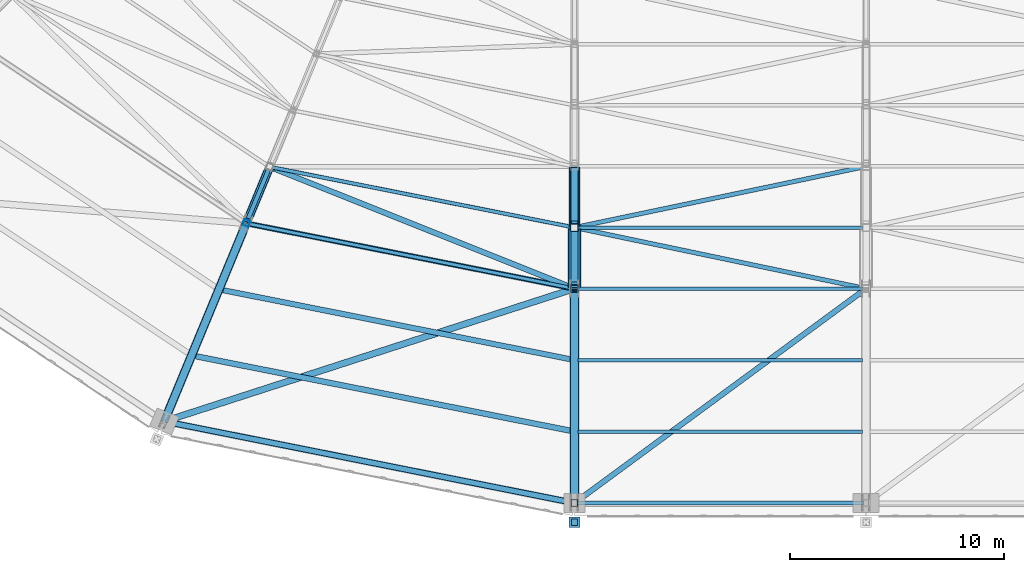
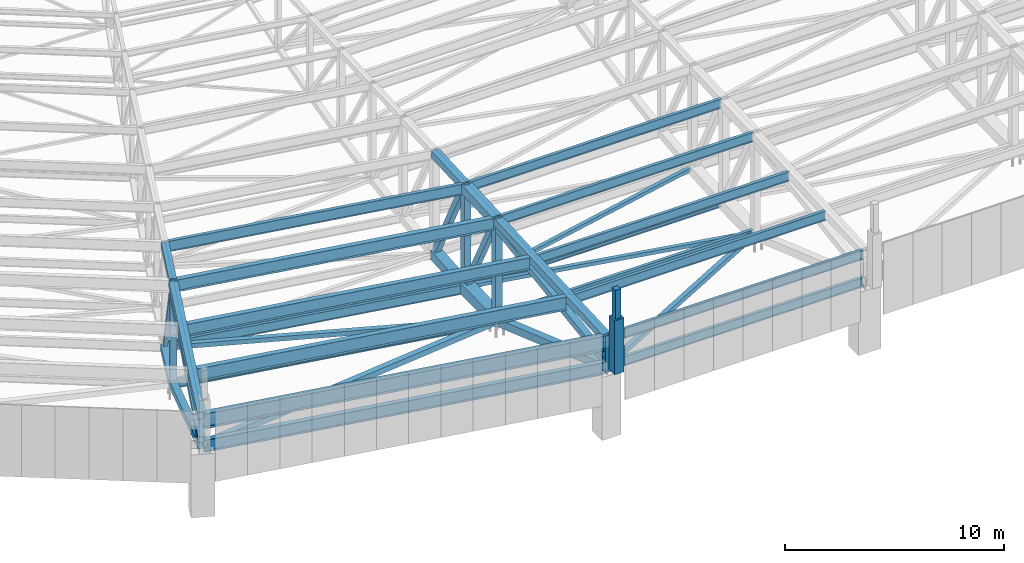
# One storey, part 5 of 278: 28 members, 14 beams.
"""IFC4 building model written with IfcOpenShell, lengths in metres."""

from ifc_helpers import new_model, si_unit, direction, frame, origin, origin_2d, place, context, subcontext, project, spatial, rectangle, hollow_rectangle, i_section, extrude, material, material_profile, profile_set, type_object, element, save


model = new_model("IFC4")

# Units and contexts
model_context = context("Model", 3, precision=1e-05, world=origin(), true_north=direction((0.0, 1.0)))
body_context = subcontext(model_context, "Body", "Model", "MODEL_VIEW")
ifc_project = project(units=[si_unit("LENGTHUNIT", "METRE"), si_unit("AREAUNIT", "SQUARE_METRE"), si_unit("VOLUMEUNIT", "CUBIC_METRE"), si_unit("PLANEANGLEUNIT", "RADIAN"), si_unit("MASSUNIT", "GRAM", prefix="KILO")], contexts=[model_context])

# Site, building, storey
site_placement = place(None, origin())
site = spatial("IfcSite", under=ifc_project, at=site_placement, CompositionType="ELEMENT")
building_placement = place(site_placement, origin())
building = spatial("IfcBuilding", under=site, at=building_placement, Name="Ogive Plaza Stadium", CompositionType="ELEMENT")
storey_placement = place(building_placement, frame((0.0, 0.0, 29.0)))
storey = spatial("IfcBuildingStorey", under=building, at=storey_placement, Name="Roof", CompositionType="ELEMENT", Elevation=29.0)

# Members
ifc_material_1 = material(Name="Concrete C45/55 precast", Category="concrete")
ifc_material_profile_1 = material_profile(ifc_material_1, rectangle(XDim=0.5, YDim=0.5, at=origin_2d()), Name="RC 500x500")
ifc_profile_set_1 = profile_set([ifc_material_profile_1], Name="Concrete C45/55 precast")
member_type_1 = type_object("IfcMemberType", Name="Precast pinnacle 500x500", PredefinedType="POST", material=ifc_profile_set_1)
member_1_placement = place(storey_placement, frame((-34.0, -103.39990234375, 4.0), z_axis=(0.0, 0.0, 1.0), x_axis=(1.0, 0.0, 0.0)))
element("IfcMember", 1, at=member_1_placement, inside=storey, type_object=member_type_1, Name="PINNACLE R17", PredefinedType="POST", context=body_context, shape_type="SweptSolid", body=[
    extrude(rectangle(XDim=0.5, YDim=0.5, at=origin_2d()), origin(), (0.0, 0.0, 1.0), 3.0),
])
ifc_material_2 = material(Name="Concrete C45/55 precast", Category="concrete")
ifc_material_profile_2 = material_profile(ifc_material_2, rectangle(XDim=0.300048828125, YDim=0.300048828125, at=origin_2d()), Name="RC 300x300")
ifc_profile_set_2 = profile_set([ifc_material_profile_2], Name="Concrete C45/55 precast")
member_type_2 = type_object("IfcMemberType", Name="Precast spire 300x300", PredefinedType="MEMBER", material=ifc_profile_set_2)
member_2_placement = place(storey_placement, frame((-34.0, -103.39990234375, 7.0), z_axis=(0.0, 0.0, 1.0), x_axis=(1.0, 0.0, 0.0)))
element("IfcMember", 2, at=member_2_placement, inside=storey, type_object=member_type_2, Name="SPIRE R17", PredefinedType="MEMBER", context=body_context, shape_type="SweptSolid", body=[
    extrude(rectangle(XDim=0.300048828125, YDim=0.300048828125, at=origin_2d()), origin(), (0.0, 0.0, 1.0), 1.60009765625),
])
ifc_material_3 = material(Name="Steel ASTM A500 Grade C", Category="steel")
ifc_material_profile_3 = material_profile(ifc_material_3, hollow_rectangle(XDim=0.25390625, YDim=0.25390625, WallThickness=0.0087890625, at=origin_2d()), Name="HSS10X10X3/8")
ifc_profile_set_3 = profile_set([ifc_material_profile_3], Name="Steel ASTM A500 Grade C")
member_type_3 = type_object("IfcMemberType", Name="Roof plan brace HSS10X10X3/8", PredefinedType="BRACE", material=ifc_profile_set_3)
member_3_placement = place(storey_placement, frame((-20.62890625, -92.668212890625, 0.362060546875), z_axis=(-0.789806515967, -0.580738793181, 0.197352784197), x_axis=(0.592389594991, -0.805651641683, 0.0)))
element("IfcMember", 3, at=member_3_placement, inside=storey, type_object=member_type_3, Name="ROOF BRACE B16 11", PredefinedType="BRACE", context=body_context, shape_type="SweptSolid", body=[
    extrude(hollow_rectangle(XDim=0.25390625, YDim=0.25390625, WallThickness=0.0087890625, at=origin_2d()), origin(), (0.0, 0.0, 1.0), 16.672119140625),
])
member_4_placement = place(storey_placement, frame((-48.1015625, -86.8681640625, 0.266845703125), z_axis=(0.92866632558, -0.370892564775, -0.004190600068), x_axis=(0.370895821464, 0.928674479902, 0.0)))
element("IfcMember", 4, at=member_4_placement, inside=storey, type_object=member_type_3, Name="ROOF BRACE B17 10", PredefinedType="BRACE", context=body_context, shape_type="SweptSolid", body=[
    extrude(hollow_rectangle(XDim=0.25390625, YDim=0.25390625, WallThickness=0.0087890625, at=origin_2d()), origin(), (0.0, 0.0, 1.0), 14.97265625),
])
ifc_material_4 = material(Name="Steel ASTM A500 Grade C", Category="steel")
ifc_material_profile_4 = material_profile(ifc_material_4, hollow_rectangle(XDim=0.3046875, YDim=0.3046875, WallThickness=0.0087890625, at=origin_2d()), Name="HSS12X12X3/8")
ifc_profile_set_4 = profile_set([ifc_material_profile_4], Name="Steel ASTM A500 Grade C")
member_type_4 = type_object("IfcMemberType", Name="Roof plan brace HSS12X12X3/8", PredefinedType="BRACE", material=ifc_profile_set_4)
member_5_placement = place(storey_placement, frame((-34.1962890625, -92.5634765625, 0.23876953125), z_axis=(-0.937504082222, -0.303484233035, 0.170245164735), x_axis=(0.307980209031, -0.951392763713, 0.0)))
element("IfcMember", 5, at=member_5_placement, inside=storey, type_object=member_type_4, Name="ROOF BRACE B17 11", PredefinedType="BRACE", context=body_context, shape_type="SweptSolid", body=[
    extrude(hollow_rectangle(XDim=0.3046875, YDim=0.3046875, WallThickness=0.0087890625, at=origin_2d()), origin(), (0.0, 0.0, 1.0), 19.96337890625),
])
ifc_material_5 = material(Name="Steel ASTM A500 Grade C", Category="steel")
ifc_material_profile_5 = material_profile(ifc_material_5, hollow_rectangle(XDim=0.203125, YDim=0.203125, WallThickness=0.0087890625, at=origin_2d()), Name="HSS8X8X3/8")
ifc_profile_set_5 = profile_set([ifc_material_profile_5], Name="Steel ASTM A500 Grade C")
member_type_5 = type_object("IfcMemberType", Name="Roof plan brace HSS8X8X3/8", PredefinedType="BRACE", material=ifc_profile_set_5)
member_6_placement = place(storey_placement, frame((-20.5693359375, -86.83544921875, 0.50927734375), z_axis=(-0.9786892756, -0.205092509512, -0.010215887981), x_axis=(0.205103212524, -0.978740349742, 0.0)))
element("IfcMember", 6, at=member_6_placement, inside=storey, type_object=member_type_5, Name="ROOF BRACE B16 9", PredefinedType="BRACE", context=body_context, shape_type="SweptSolid", body=[
    extrude(hollow_rectangle(XDim=0.203125, YDim=0.203125, WallThickness=0.0087890625, at=origin_2d()), origin(), (0.0, 0.0, 1.0), 13.55029296875),
])
member_7_placement = place(storey_placement, frame((-33.830810546875, -89.685546875, 0.3681640625), z_axis=(0.978729937555, -0.205101030564, -0.004612656051), x_axis=(0.205103212524, 0.978740349742, 0.0)))
element("IfcMember", 7, at=member_7_placement, inside=storey, type_object=member_type_5, Name="ROOF BRACE B16 10", PredefinedType="BRACE", context=body_context, shape_type="SweptSolid", body=[
    extrude(hollow_rectangle(XDim=0.203125, YDim=0.203125, WallThickness=0.0087890625, at=origin_2d()), origin(), (0.0, 0.0, 1.0), 13.549560546875),
])
ifc_material_6 = material(Name="Steel ASTM A992 Grade 50", Category="steel")
ifc_material_profile_6 = material_profile(ifc_material_6, i_section(OverallWidth=0.1650390625, OverallDepth=0.524658203125, WebThickness=0.0087890625, FlangeThickness=0.011474609375, at=origin_2d()), Name="W21X44")
ifc_profile_set_6 = profile_set([ifc_material_profile_6], Name="Steel ASTM A992 Grade 50")
member_type_6 = type_object("IfcMemberType", Name="Roof plan strut W21X44", PredefinedType="STRUT", material=ifc_profile_set_6)
for number, where, z_axis, x_axis, name in (
    (8, (-20.5478515625, -89.64990234375, 0.369140625), (-1.0, 0.0, 0.0), (0.0, -1.0, 0.0), "ROOF STRUT B16 9"),
    (9, (-20.5478515625, -92.5, 0.3046875), (-1.0, 0.0, 0.0), (0.0, -1.0, 0.0), "ROOF STRUT B16 10"),
):
    element("IfcMember", number, at=place(storey_placement, frame(where, z_axis=z_axis, x_axis=x_axis)), inside=storey, type_object=member_type_6, Name=name, PredefinedType="STRUT", context=body_context, shape_type="SweptSolid", body=[
        extrude(i_section(OverallWidth=0.1650390625, OverallDepth=0.524658203125, WebThickness=0.0087890625, FlangeThickness=0.011474609375, at=origin_2d()), origin(), (0.0, 0.0, 1.0), 13.304443359375),
    ])
member_8_placement = place(storey_placement, frame((-20.5224609375, -102.5, 3.703125), z_axis=(-1.0, 0.0, 0.0), x_axis=(0.0, -1.0, 0.0)))
element("IfcMember", 10, at=member_8_placement, inside=storey, type_object=member_type_6, Name="ROOF STRUT B16 11", PredefinedType="STRUT", context=body_context, shape_type="SweptSolid", body=[
    extrude(i_section(OverallWidth=0.1650390625, OverallDepth=0.524658203125, WebThickness=0.0087890625, FlangeThickness=0.011474609375, at=origin_2d()), origin(), (0.0, 0.0, 1.0), 13.355224609375),
])
member_9_placement = place(storey_placement, frame((-34.16455078125, -89.6171875, 0.267333984375), z_axis=(-0.980787315442, 0.195080090906, 0.0), x_axis=(-0.195080090906, -0.980787315442, 0.0)))
element("IfcMember", 11, at=member_9_placement, inside=storey, type_object=member_type_6, Name="ROOF STRUT B17 9", PredefinedType="STRUT", context=body_context, shape_type="SweptSolid", body=[
    extrude(i_section(OverallWidth=0.1650390625, OverallDepth=0.524658203125, WebThickness=0.0087890625, FlangeThickness=0.011474609375, at=origin_2d()), origin(), (0.0, 0.0, 1.0), 14.185546875),
])
member_10_placement = place(storey_placement, frame((-34.16455078125, -92.46728515625, 0.203125), z_axis=(-0.98078576758, 0.195087872799, 0.0), x_axis=(-0.195087872799, -0.98078576758, 0.0)))
element("IfcMember", 12, at=member_10_placement, inside=storey, type_object=member_type_6, Name="ROOF STRUT B17 10", PredefinedType="STRUT", context=body_context, shape_type="SweptSolid", body=[
    extrude(i_section(OverallWidth=0.1650390625, OverallDepth=0.524658203125, WebThickness=0.0087890625, FlangeThickness=0.011474609375, at=origin_2d()), origin(), (0.0, 0.0, 1.0), 15.297607421875),
])
ifc_material_7 = material(Name="Steel ASTM A992 Grade 50", Category="steel")
ifc_material_profile_7 = material_profile(ifc_material_7, i_section(OverallWidth=0.2529296875, OverallDepth=0.678466796875, WebThickness=0.01171875, FlangeThickness=0.016357421875, at=origin_2d()), Name="W27X84")
ifc_profile_set_7 = profile_set([ifc_material_profile_7], Name="Steel ASTM A992 Grade 50")
member_type_7 = type_object("IfcMemberType", Name="Roof plan strut W27X84", PredefinedType="STRUT", material=ifc_profile_set_7)
member_11_placement = place(storey_placement, frame((-34.147705078125, -102.470703125, 3.677734375), z_axis=(-0.980783455639, 0.195099495499, 0.0), x_axis=(-0.195099495499, -0.980783455639, 0.0)))
element("IfcMember", 13, at=member_11_placement, inside=storey, type_object=member_type_7, Name="ROOF STRUT B17 11", PredefinedType="STRUT", context=body_context, shape_type="SweptSolid", body=[
    extrude(i_section(OverallWidth=0.2529296875, OverallDepth=0.678466796875, WebThickness=0.01171875, FlangeThickness=0.016357421875, at=origin_2d()), origin(), (0.0, 0.0, 1.0), 19.259765625),
])
ifc_material_8 = material(Name="Steel ASTM A992 Grade 50", Category="steel")
ifc_material_profile_8 = material_profile(ifc_material_8, i_section(OverallWidth=0.1650390625, OverallDepth=0.524658203125, WebThickness=0.0087890625, FlangeThickness=0.011474609375, at=origin_2d()), Name="W21X44")
ifc_profile_set_8 = profile_set([ifc_material_profile_8], Name="Steel ASTM A992 Grade 50")
member_type_8 = type_object("IfcMemberType", Name="Roof purlin W21X44", PredefinedType="PURLIN", material=ifc_profile_set_8)
for number, where, z_axis, x_axis, name in (
    (14, (-20.5478515625, -89.64990234375, 5.880126953125), (-1.0, 0.0, 0.0), (0.0, -1.0, 0.0), "ROOF PURLIN B16 9"),
    (15, (-20.5478515625, -92.5, 5.737548828125), (-1.0, 0.0, 0.0), (0.0, -1.0, 0.0), "ROOF PURLIN B16 10"),
):
    element("IfcMember", number, at=place(storey_placement, frame(where, z_axis=z_axis, x_axis=x_axis)), inside=storey, type_object=member_type_8, Name=name, PredefinedType="PURLIN", context=body_context, shape_type="SweptSolid", body=[
        extrude(i_section(OverallWidth=0.1650390625, OverallDepth=0.524658203125, WebThickness=0.0087890625, FlangeThickness=0.011474609375, at=origin_2d()), origin(), (0.0, 0.0, 1.0), 13.304443359375),
    ])
for number, where, z_axis, x_axis, name in (
    (16, (-20.5732421875, -95.833251953125, 5.571044921875), (-1.0, 0.0, 0.0), (0.0, -1.0, 0.0), "ROOF PURLIN B16 11"),
    (17, (-20.5732421875, -99.166748046875, 5.404296875), (-1.0, 0.0, 0.0), (0.0, -1.0, 0.0), "ROOF PURLIN B16 12"),
):
    element("IfcMember", number, at=place(storey_placement, frame(where, z_axis=z_axis, x_axis=x_axis)), inside=storey, type_object=member_type_8, Name=name, PredefinedType="PURLIN", context=body_context, shape_type="SweptSolid", body=[
        extrude(i_section(OverallWidth=0.1650390625, OverallDepth=0.524658203125, WebThickness=0.0087890625, FlangeThickness=0.011474609375, at=origin_2d()), origin(), (0.0, 0.0, 1.0), 13.253662109375),
    ])
member_12_placement = place(storey_placement, frame((-20.5224609375, -102.5, 5.237548828125), z_axis=(-1.0, 0.0, 0.0), x_axis=(0.0, -1.0, 0.0)))
element("IfcMember", 18, at=member_12_placement, inside=storey, type_object=member_type_8, Name="ROOF PURLIN B16 13", PredefinedType="PURLIN", context=body_context, shape_type="SweptSolid", body=[
    extrude(i_section(OverallWidth=0.1650390625, OverallDepth=0.524658203125, WebThickness=0.0087890625, FlangeThickness=0.011474609375, at=origin_2d()), origin(), (0.0, 0.0, 1.0), 13.355224609375),
])
ifc_material_9 = material(Name="Steel ASTM A992 Grade 50", Category="steel")
ifc_material_profile_9 = material_profile(ifc_material_9, i_section(OverallWidth=0.177978515625, OverallDepth=0.5986328125, WebThickness=0.010009765625, FlangeThickness=0.012939453125, at=origin_2d()), Name="W24X55")
ifc_profile_set_9 = profile_set([ifc_material_profile_9], Name="Steel ASTM A992 Grade 50")
member_type_9 = type_object("IfcMemberType", Name="Roof purlin W24X55", PredefinedType="PURLIN", material=ifc_profile_set_9)
member_13_placement = place(storey_placement, frame((-34.165771484375, -89.616943359375, 5.84326171875), z_axis=(-0.98078735162, 0.195079909016, 0.0), x_axis=(-0.195079909016, -0.98078735162, 0.0)))
element("IfcMember", 19, at=member_13_placement, inside=storey, type_object=member_type_9, Name="ROOF PURLIN B17 9", PredefinedType="PURLIN", context=body_context, shape_type="SweptSolid", body=[
    extrude(i_section(OverallWidth=0.177978515625, OverallDepth=0.5986328125, WebThickness=0.010009765625, FlangeThickness=0.012939453125, at=origin_2d()), origin(), (0.0, 0.0, 1.0), 14.18310546875),
])
ifc_material_10 = material(Name="Steel ASTM A992 Grade 50", Category="steel")
ifc_material_profile_10 = material_profile(ifc_material_10, i_section(OverallWidth=0.2529296875, OverallDepth=0.678466796875, WebThickness=0.01171875, FlangeThickness=0.016357421875, at=origin_2d()), Name="W27X84")
ifc_profile_set_10 = profile_set([ifc_material_profile_10], Name="Steel ASTM A992 Grade 50")
member_type_10 = type_object("IfcMemberType", Name="Roof purlin W27X84", PredefinedType="PURLIN", material=ifc_profile_set_10)
member_14_placement = place(storey_placement, frame((-34.173095703125, -92.465576171875, 5.660888671875), z_axis=(-0.980786000888, 0.195086699859, 0.0), x_axis=(-0.195086699859, -0.980786000888, 0.0)))
element("IfcMember", 20, at=member_14_placement, inside=storey, type_object=member_type_10, Name="ROOF PURLIN B17 10", PredefinedType="PURLIN", context=body_context, shape_type="SweptSolid", body=[
    extrude(i_section(OverallWidth=0.2529296875, OverallDepth=0.678466796875, WebThickness=0.01171875, FlangeThickness=0.016357421875, at=origin_2d()), origin(), (0.0, 0.0, 1.0), 15.2802734375),
])
member_15_placement = place(storey_placement, frame((-34.198486328125, -95.7939453125, 5.494140625), z_axis=(-0.980783842794, 0.195097549229, 0.0), x_axis=(-0.195097549229, -0.980783842794, 0.0)))
element("IfcMember", 21, at=member_15_placement, inside=storey, type_object=member_type_10, Name="ROOF PURLIN B17 11", PredefinedType="PURLIN", context=body_context, shape_type="SweptSolid", body=[
    extrude(i_section(OverallWidth=0.2529296875, OverallDepth=0.678466796875, WebThickness=0.01171875, FlangeThickness=0.016357421875, at=origin_2d()), origin(), (0.0, 0.0, 1.0), 16.503173828125),
])
ifc_material_11 = material(Name="Steel ASTM A992 Grade 50", Category="steel")
ifc_material_profile_11 = material_profile(ifc_material_11, i_section(OverallWidth=0.26416015625, OverallDepth=0.75, WebThickness=0.011962890625, FlangeThickness=0.015380859375, at=origin_2d()), Name="W30X90")
ifc_profile_set_11 = profile_set([ifc_material_profile_11], Name="Steel ASTM A992 Grade 50")
member_type_11 = type_object("IfcMemberType", Name="Roof purlin W30X90", PredefinedType="PURLIN", material=ifc_profile_set_11)
member_16_placement = place(storey_placement, frame((-34.199462890625, -99.126953125, 5.291748046875), z_axis=(-0.98078533037, 0.195090070818, 0.0), x_axis=(-0.195090070818, -0.98078533037, 0.0)))
element("IfcMember", 22, at=member_16_placement, inside=storey, type_object=member_type_11, Name="ROOF PURLIN B17 12", PredefinedType="PURLIN", context=body_context, shape_type="SweptSolid", body=[
    extrude(i_section(OverallWidth=0.26416015625, OverallDepth=0.75, WebThickness=0.011962890625, FlangeThickness=0.015380859375, at=origin_2d()), origin(), (0.0, 0.0, 1.0), 17.801513671875),
])
ifc_material_12 = material(Name="Steel ASTM A992 Grade 50", Category="steel")
ifc_material_profile_12 = material_profile(ifc_material_12, i_section(OverallWidth=0.2919921875, OverallDepth=0.834716796875, WebThickness=0.013916015625, FlangeThickness=0.018798828125, at=origin_2d()), Name="W33X118")
ifc_profile_set_12 = profile_set([ifc_material_profile_12], Name="Steel ASTM A992 Grade 50")
member_type_12 = type_object("IfcMemberType", Name="Roof purlin W33X118", PredefinedType="PURLIN", material=ifc_profile_set_12)
member_17_placement = place(storey_placement, frame((-34.1513671875, -102.469970703125, 5.082763671875), z_axis=(-0.98078547793, 0.195089328978, 0.0), x_axis=(-0.195089328978, -0.98078547793, 0.0)))
element("IfcMember", 23, at=member_17_placement, inside=storey, type_object=member_type_12, Name="ROOF PURLIN B17 13", PredefinedType="PURLIN", context=body_context, shape_type="SweptSolid", body=[
    extrude(i_section(OverallWidth=0.2919921875, OverallDepth=0.834716796875, WebThickness=0.013916015625, FlangeThickness=0.018798828125, at=origin_2d()), origin(), (0.0, 0.0, 1.0), 19.251953125),
])

# Beams
ifc_material_13 = material(Name="Steel ASTM A500 Grade C", Category="steel")
ifc_material_profile_13 = material_profile(ifc_material_13, hollow_rectangle(XDim=0.355712890625, YDim=0.355712890625, WallThickness=0.0146484375, at=origin_2d()), Name="HSS14X14X5/8")
ifc_profile_set_13 = profile_set([ifc_material_profile_13], Name="Steel ASTM A500 Grade C")
beam_type_1 = type_object("IfcBeamType", Name="Roof truss back-span bottom chord HSS14X14X5/8", PredefinedType="BEAM", material=ifc_profile_set_13)
beam_1_placement = place(storey_placement, frame((-49.326416015625, -89.50146484375, 0.205810546875), z_axis=(-0.361198342864, -0.8720107052, 0.330352973543), x_axis=(0.92387965154, -0.382683145003, 0.0)))
element("IfcBeam", 24, at=beam_1_placement, inside=storey, type_object=beam_type_1, Name="ROOF TRUSS T18 BOTTOM CHORD 11", PredefinedType="BEAM", context=body_context, shape_type="SweptSolid", body=[
    extrude(hollow_rectangle(XDim=0.355712890625, YDim=0.355712890625, WallThickness=0.0146484375, at=origin_2d()), origin(), (0.0, 0.0, 1.0), 10.4794921875),
])
ifc_material_14 = material(Name="Steel ASTM A500 Grade C", Category="steel")
ifc_material_profile_14 = material_profile(ifc_material_14, hollow_rectangle(XDim=0.406494140625, YDim=0.406494140625, WallThickness=0.0146484375, at=origin_2d()), Name="HSS16X16X5/8")
ifc_profile_set_14 = profile_set([ifc_material_profile_14], Name="Steel ASTM A500 Grade C")
beam_type_2 = type_object("IfcBeamType", Name="Roof truss back-span bottom chord HSS16X16X5/8", PredefinedType="BEAM", material=ifc_profile_set_14)
beam_2_placement = place(storey_placement, frame((-34.0, -92.550048828125, 0.232666015625), z_axis=(0.0, -0.943851085966, 0.330371196567), x_axis=(1.0, 0.0, 0.0)))
element("IfcBeam", 25, at=beam_2_placement, inside=storey, type_object=beam_type_2, Name="ROOF TRUSS T17 BOTTOM CHORD 11", PredefinedType="BEAM", context=body_context, shape_type="SweptSolid", body=[
    extrude(hollow_rectangle(XDim=0.406494140625, YDim=0.406494140625, WallThickness=0.0146484375, at=origin_2d()), origin(), (0.0, 0.0, 1.0), 10.470703125),
])
ifc_material_15 = material(Name="Steel ASTM A500 Grade C", Category="steel")
ifc_material_profile_15 = material_profile(ifc_material_15, hollow_rectangle(XDim=0.406494140625, YDim=0.406494140625, WallThickness=0.01171875, at=origin_2d()), Name="HSS16X16X1/2")
ifc_profile_set_15 = profile_set([ifc_material_profile_15], Name="Steel ASTM A500 Grade C")
beam_type_3 = type_object("IfcBeamType", Name="Roof truss back-span top chord HSS16X16X1/2", PredefinedType="BEAM", material=ifc_profile_set_15)
beam_3_placement = place(storey_placement, frame((-49.326416015625, -89.50146484375, 5.7939453125), z_axis=(-0.382212873931, -0.922724635654, -0.049925602233), x_axis=(0.923876765838, -0.382690111637, 0.0)))
element("IfcBeam", 26, at=beam_3_placement, inside=storey, type_object=beam_type_3, Name="ROOF TRUSS T18 TOP CHORD 11", PredefinedType="BEAM", context=body_context, shape_type="SweptSolid", body=[
    extrude(hollow_rectangle(XDim=0.406494140625, YDim=0.406494140625, WallThickness=0.01171875, at=origin_2d()), origin(), (0.0, 0.0, 1.0), 9.912109375),
])
ifc_material_16 = material(Name="Steel ASTM A500 Grade C", Category="steel")
ifc_material_profile_16 = material_profile(ifc_material_16, hollow_rectangle(XDim=0.406494140625, YDim=0.406494140625, WallThickness=0.0146484375, at=origin_2d()), Name="HSS16X16X5/8")
ifc_profile_set_16 = profile_set([ifc_material_profile_16], Name="Steel ASTM A500 Grade C")
beam_type_4 = type_object("IfcBeamType", Name="Roof truss back-span top chord HSS16X16X5/8", PredefinedType="BEAM", material=ifc_profile_set_16)
beam_4_placement = place(storey_placement, frame((-34.0, -92.550048828125, 5.7939453125), z_axis=(0.0, -0.998752953021, -0.049925332571), x_axis=(1.0, 0.0, 0.0)))
element("IfcBeam", 27, at=beam_4_placement, inside=storey, type_object=beam_type_4, Name="ROOF TRUSS T17 TOP CHORD 11", PredefinedType="BEAM", context=body_context, shape_type="SweptSolid", body=[
    extrude(hollow_rectangle(XDim=0.406494140625, YDim=0.406494140625, WallThickness=0.0146484375, at=origin_2d()), origin(), (0.0, 0.0, 1.0), 9.912353515625),
])

# Members
ifc_material_17 = material(Name="Steel ASTM A500 Grade C", Category="steel")
ifc_material_profile_17 = material_profile(ifc_material_17, hollow_rectangle(XDim=0.355712890625, YDim=0.355712890625, WallThickness=0.01171875, at=origin_2d()), Name="HSS14X14X1/2")
ifc_profile_set_17 = profile_set([ifc_material_profile_17], Name="Steel ASTM A500 Grade C")
member_type_13 = type_object("IfcMemberType", Name="Roof truss back-stay HSS14X14X1/2", PredefinedType="BRACE", material=ifc_profile_set_17)
member_18_placement = place(storey_placement, frame((-49.3330078125, -89.51708984375, 5.456787109375), z_axis=(-0.378574229049, -0.913970348271, -0.146081332079), x_axis=(0.923881206794, -0.382679390263, 0.0)))
element("IfcMember", 28, at=member_18_placement, inside=storey, type_object=member_type_13, Name="BACK-STAY T18", PredefinedType="BRACE", context=body_context, shape_type="SweptSolid", body=[
    extrude(hollow_rectangle(XDim=0.355712890625, YDim=0.355712890625, WallThickness=0.01171875, at=origin_2d()), origin(), (0.0, 0.0, 1.0), 10.024169921875),
])
ifc_material_18 = material(Name="Steel ASTM A500 Grade C", Category="steel")
ifc_material_profile_18 = material_profile(ifc_material_18, hollow_rectangle(XDim=0.355712890625, YDim=0.355712890625, WallThickness=0.0146484375, at=origin_2d()), Name="HSS14X14X5/8")
ifc_profile_set_18 = profile_set([ifc_material_profile_18], Name="Steel ASTM A500 Grade C")
member_type_14 = type_object("IfcMemberType", Name="Roof truss back-stay HSS14X14X5/8", PredefinedType="BRACE", material=ifc_profile_set_18)
member_19_placement = place(storey_placement, frame((-34.0, -92.593017578125, 5.45654296875), z_axis=(0.0, -0.989844100519, -0.142157154826), x_axis=(1.0, 0.0, 0.0)))
element("IfcMember", 29, at=member_19_placement, inside=storey, type_object=member_type_14, Name="BACK-STAY T17", PredefinedType="BRACE", context=body_context, shape_type="SweptSolid", body=[
    extrude(hollow_rectangle(XDim=0.355712890625, YDim=0.355712890625, WallThickness=0.0146484375, at=origin_2d()), origin(), (0.0, 0.0, 1.0), 9.9404296875),
])

# Beams
ifc_material_19 = material(Name="Steel ASTM A500 Grade C", Category="steel")
ifc_material_profile_19 = material_profile(ifc_material_19, hollow_rectangle(XDim=0.406494140625, YDim=0.406494140625, WallThickness=0.0146484375, at=origin_2d()), Name="HSS16X16X5/8")
ifc_profile_set_19 = profile_set([ifc_material_profile_19], Name="Steel ASTM A500 Grade C")
beam_type_5 = type_object("IfcBeamType", Name="Roof truss bottom chord HSS16X16X5/8", PredefinedType="BEAM", material=ifc_profile_set_19)
beam_5_placement = place(storey_placement, frame((-48.23583984375, -86.868408203125, 0.266357421875), z_axis=(-0.382562952761, -0.923654312396, -0.022545473318), x_axis=(0.923889147914, -0.382660217904, 0.0)))
element("IfcBeam", 30, at=beam_5_placement, inside=storey, type_object=beam_type_5, Name="ROOF TRUSS T18 BOTTOM CHORD 10", PredefinedType="BEAM", context=body_context, shape_type="SweptSolid", body=[
    extrude(hollow_rectangle(XDim=0.406494140625, YDim=0.406494140625, WallThickness=0.0146484375, at=origin_2d()), origin(), (0.0, 0.0, 1.0), 2.75048828125),
])
ifc_material_20 = material(Name="Steel ASTM A500 Grade C", Category="steel")
ifc_material_profile_20 = material_profile(ifc_material_20, hollow_rectangle(XDim=0.508056640625, YDim=0.508056640625, WallThickness=0.0146484375, at=origin_2d()), Name="HSS20X20X5/8")
ifc_profile_set_20 = profile_set([ifc_material_profile_20], Name="Steel ASTM A500 Grade C")
beam_type_6 = type_object("IfcBeamType", Name="Roof truss bottom chord HSS20X20X5/8", PredefinedType="BEAM", material=ifc_profile_set_20)
beam_6_placement = place(storey_placement, frame((-34.0, -86.85009765625, 0.50830078125), z_axis=(0.0, -0.997719620387, -0.06749488199), x_axis=(1.0, 0.0, 0.0)))
element("IfcBeam", 31, at=beam_6_placement, inside=storey, type_object=beam_type_6, Name="ROOF TRUSS T17 BOTTOM CHORD 9", PredefinedType="BEAM", context=body_context, shape_type="SweptSolid", body=[
    extrude(hollow_rectangle(XDim=0.508056640625, YDim=0.508056640625, WallThickness=0.0146484375, at=origin_2d()), origin(), (0.0, 0.0, 1.0), 2.75634765625),
])
ifc_material_21 = material(Name="Steel ASTM A500 Grade C", Category="steel")
ifc_material_profile_21 = material_profile(ifc_material_21, hollow_rectangle(XDim=0.609619140625, YDim=0.609619140625, WallThickness=0.0146484375, at=origin_2d()), Name="HSS24X24X5/8")
ifc_profile_set_21 = profile_set([ifc_material_profile_21], Name="Steel ASTM A500 Grade C")
beam_type_7 = type_object("IfcBeamType", Name="Roof truss bottom chord HSS24X24X5/8", PredefinedType="BEAM", material=ifc_profile_set_21)
beam_7_placement = place(storey_placement, frame((-34.0, -89.699951171875, 0.367919921875), z_axis=(0.0, -0.999745852076, -0.022543984946), x_axis=(1.0, 0.0, 0.0)))
element("IfcBeam", 32, at=beam_7_placement, inside=storey, type_object=beam_type_7, Name="ROOF TRUSS T17 BOTTOM CHORD 10", PredefinedType="BEAM", context=body_context, shape_type="SweptSolid", body=[
    extrude(hollow_rectangle(XDim=0.609619140625, YDim=0.609619140625, WallThickness=0.0146484375, at=origin_2d()), origin(), (0.0, 0.0, 1.0), 2.750732421875),
])

# Members
ifc_material_22 = material(Name="Steel ASTM A500 Grade C", Category="steel")
ifc_material_profile_22 = material_profile(ifc_material_22, hollow_rectangle(XDim=0.3046875, YDim=0.3046875, WallThickness=0.0087890625, at=origin_2d()), Name="HSS12X12X3/8")
ifc_profile_set_22 = profile_set([ifc_material_profile_22], Name="Steel ASTM A500 Grade C")
member_type_15 = type_object("IfcMemberType", Name="Roof truss diagonal HSS12X12X3/8", PredefinedType="BRACE", material=ifc_profile_set_22)
member_20_placement = place(storey_placement, frame((-34.0, -86.977783203125, 0.764892578125), z_axis=(0.0, -0.448477330766, 0.893794206621), x_axis=(1.0, 0.0, 0.0)))
element("IfcMember", 33, at=member_20_placement, inside=storey, type_object=member_type_15, Name="ROOF TRUSS T17 DIAGONAL 9", PredefinedType="BRACE", context=body_context, shape_type="SweptSolid", body=[
    extrude(hollow_rectangle(XDim=0.3046875, YDim=0.3046875, WallThickness=0.0087890625, at=origin_2d()), origin(), (0.0, 0.0, 1.0), 5.56201171875),
])
member_21_placement = place(storey_placement, frame((-34.0, -89.827880859375, 0.673828125), z_axis=(0.0, -0.459750963822, 0.888047887934), x_axis=(1.0, 0.0, 0.0)))
element("IfcMember", 34, at=member_21_placement, inside=storey, type_object=member_type_15, Name="ROOF TRUSS T17 DIAGONAL 10", PredefinedType="BRACE", context=body_context, shape_type="SweptSolid", body=[
    extrude(hollow_rectangle(XDim=0.3046875, YDim=0.3046875, WallThickness=0.0087890625, at=origin_2d()), origin(), (0.0, 0.0, 1.0), 5.425537109375),
])
ifc_material_23 = material(Name="Steel ASTM A500 Grade C", Category="steel")
ifc_material_profile_23 = material_profile(ifc_material_23, hollow_rectangle(XDim=0.203125, YDim=0.203125, WallThickness=0.0087890625, at=origin_2d()), Name="HSS8X8X3/8")
ifc_profile_set_23 = profile_set([ifc_material_profile_23], Name="Steel ASTM A500 Grade C")
member_type_16 = type_object("IfcMemberType", Name="Roof truss diagonal HSS8X8X3/8", PredefinedType="BRACE", material=ifc_profile_set_23)
member_22_placement = place(storey_placement, frame((-48.27490234375, -86.962890625, 0.470703125), z_axis=(-0.168947413355, -0.407844983819, 0.897284370027), x_axis=(0.923869529365, -0.382707581205, 0.0)))
element("IfcMember", 35, at=member_22_placement, inside=storey, type_object=member_type_16, Name="ROOF TRUSS T18 DIAGONAL 10", PredefinedType="BRACE", context=body_context, shape_type="SweptSolid", body=[
    extrude(hollow_rectangle(XDim=0.203125, YDim=0.203125, WallThickness=0.0087890625, at=origin_2d()), origin(), (0.0, 0.0, 1.0), 5.765869140625),
])

# Beams
ifc_material_24 = material(Name="Steel ASTM A500 Grade C", Category="steel")
ifc_material_profile_24 = material_profile(ifc_material_24, hollow_rectangle(XDim=0.3046875, YDim=0.3046875, WallThickness=0.01171875, at=origin_2d()), Name="HSS12X12X1/2")
ifc_profile_set_24 = profile_set([ifc_material_profile_24], Name="Steel ASTM A500 Grade C")
beam_type_8 = type_object("IfcBeamType", Name="Roof truss post HSS12X12X1/2", PredefinedType="BEAM", material=ifc_profile_set_24)
beam_8_placement = place(storey_placement, frame((-34.0, -102.5, 3.43994140625), z_axis=(0.0, 0.0, 1.0), x_axis=(1.0, 0.0, 0.0)))
element("IfcBeam", 36, at=beam_8_placement, inside=storey, type_object=beam_type_8, Name="ROOF TRUSS T17 POST 12", PredefinedType="BEAM", context=body_context, shape_type="SweptSolid", body=[
    extrude(hollow_rectangle(XDim=0.3046875, YDim=0.3046875, WallThickness=0.01171875, at=origin_2d()), origin(), (0.0, 0.0, 1.0), 2.06005859375),
])
beam_9_placement = place(storey_placement, frame((-49.307373046875, -89.455078125, -0.06005859375), z_axis=(0.0, 0.0, 1.0), x_axis=(0.923879532511, -0.382683432365, 0.0)))
element("IfcBeam", 37, at=beam_9_placement, inside=storey, type_object=beam_type_8, Name="ROOF TRUSS T18 POST 11", PredefinedType="BEAM", context=body_context, shape_type="SweptSolid", body=[
    extrude(hollow_rectangle(XDim=0.3046875, YDim=0.3046875, WallThickness=0.01171875, at=origin_2d()), origin(), (0.0, 0.0, 1.0), 6.06005859375),
])
ifc_material_25 = material(Name="Steel ASTM A500 Grade C", Category="steel")
ifc_material_profile_25 = material_profile(ifc_material_25, hollow_rectangle(XDim=0.355712890625, YDim=0.355712890625, WallThickness=0.0146484375, at=origin_2d()), Name="HSS14X14X5/8")
ifc_profile_set_25 = profile_set([ifc_material_profile_25], Name="Steel ASTM A500 Grade C")
beam_type_9 = type_object("IfcBeamType", Name="Roof truss post HSS14X14X5/8", PredefinedType="BEAM", material=ifc_profile_set_25)
beam_10_placement = place(storey_placement, frame((-34.0, -89.64990234375, 0.064208984375), z_axis=(0.0, 0.0, 1.0), x_axis=(1.0, 0.0, 0.0)))
element("IfcBeam", 38, at=beam_10_placement, inside=storey, type_object=beam_type_9, Name="ROOF TRUSS T17 POST 10", PredefinedType="BEAM", context=body_context, shape_type="SweptSolid", body=[
    extrude(hollow_rectangle(XDim=0.355712890625, YDim=0.355712890625, WallThickness=0.0146484375, at=origin_2d()), origin(), (0.0, 0.0, 1.0), 6.078369140625),
])
beam_11_placement = place(storey_placement, frame((-34.0, -92.5, -0.06005859375), z_axis=(0.0, 0.0, 1.0), x_axis=(1.0, 0.0, 0.0)))
element("IfcBeam", 39, at=beam_11_placement, inside=storey, type_object=beam_type_9, Name="ROOF TRUSS T17 POST 11", PredefinedType="BEAM", context=body_context, shape_type="SweptSolid", body=[
    extrude(hollow_rectangle(XDim=0.355712890625, YDim=0.355712890625, WallThickness=0.0146484375, at=origin_2d()), origin(), (0.0, 0.0, 1.0), 6.06005859375),
])
ifc_material_26 = material(Name="Steel ASTM A500 Grade C", Category="steel")
ifc_material_profile_26 = material_profile(ifc_material_26, hollow_rectangle(XDim=0.355712890625, YDim=0.355712890625, WallThickness=0.01171875, at=origin_2d()), Name="HSS14X14X1/2")
ifc_profile_set_26 = profile_set([ifc_material_profile_26], Name="Steel ASTM A500 Grade C")
beam_type_10 = type_object("IfcBeamType", Name="Roof truss top chord HSS14X14X1/2", PredefinedType="BEAM", material=ifc_profile_set_26)
beam_12_placement = place(storey_placement, frame((-48.23583984375, -86.868408203125, 5.9619140625), z_axis=(-0.382183063105, -0.922737112453, -0.049923216828), x_axis=(0.923889147914, -0.382660217904, 0.0)))
element("IfcBeam", 40, at=beam_12_placement, inside=storey, type_object=beam_type_10, Name="ROOF TRUSS T18 TOP CHORD 10", PredefinedType="BEAM", context=body_context, shape_type="SweptSolid", body=[
    extrude(hollow_rectangle(XDim=0.355712890625, YDim=0.355712890625, WallThickness=0.01171875, at=origin_2d()), origin(), (0.0, 0.0, 1.0), 2.753173828125),
])
ifc_material_27 = material(Name="Steel ASTM A500 Grade C", Category="steel")
ifc_material_profile_27 = material_profile(ifc_material_27, hollow_rectangle(XDim=0.406494140625, YDim=0.406494140625, WallThickness=0.01171875, at=origin_2d()), Name="HSS16X16X1/2")
ifc_profile_set_27 = profile_set([ifc_material_profile_27], Name="Steel ASTM A500 Grade C")
beam_type_11 = type_object("IfcBeamType", Name="Roof truss top chord HSS16X16X1/2", PredefinedType="BEAM", material=ifc_profile_set_27)
beam_13_placement = place(storey_placement, frame((-34.0, -86.85009765625, 6.0791015625), z_axis=(0.0, -0.998753223187, -0.049919927615), x_axis=(1.0, 0.0, 0.0)))
element("IfcBeam", 41, at=beam_13_placement, inside=storey, type_object=beam_type_11, Name="ROOF TRUSS T17 TOP CHORD 9", PredefinedType="BEAM", context=body_context, shape_type="SweptSolid", body=[
    extrude(hollow_rectangle(XDim=0.406494140625, YDim=0.406494140625, WallThickness=0.01171875, at=origin_2d()), origin(), (0.0, 0.0, 1.0), 2.75341796875),
])
ifc_material_28 = material(Name="Steel ASTM A500 Grade C", Category="steel")
ifc_material_profile_28 = material_profile(ifc_material_28, hollow_rectangle(XDim=0.508056640625, YDim=0.508056640625, WallThickness=0.0146484375, at=origin_2d()), Name="HSS20X20X5/8")
ifc_profile_set_28 = profile_set([ifc_material_profile_28], Name="Steel ASTM A500 Grade C")
beam_type_12 = type_object("IfcBeamType", Name="Roof truss top chord HSS20X20X5/8", PredefinedType="BEAM", material=ifc_profile_set_28)
beam_14_placement = place(storey_placement, frame((-34.0, -89.699951171875, 5.8857421875), z_axis=(0.0, -0.998753223187, -0.049919927615), x_axis=(1.0, 0.0, 0.0)))
element("IfcBeam", 42, at=beam_14_placement, inside=storey, type_object=beam_type_12, Name="ROOF TRUSS T17 TOP CHORD 10", PredefinedType="BEAM", context=body_context, shape_type="SweptSolid", body=[
    extrude(hollow_rectangle(XDim=0.508056640625, YDim=0.508056640625, WallThickness=0.0146484375, at=origin_2d()), origin(), (0.0, 0.0, 1.0), 2.75341796875),
])

save(model, "model.ifc")
